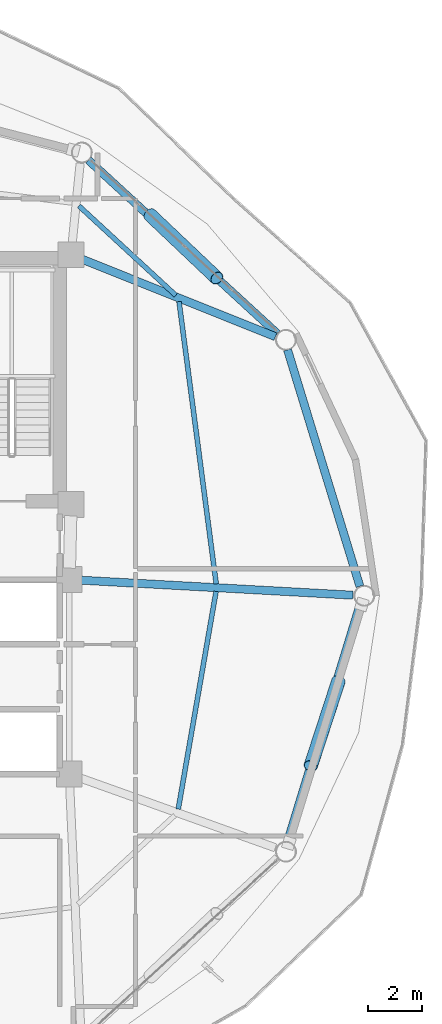
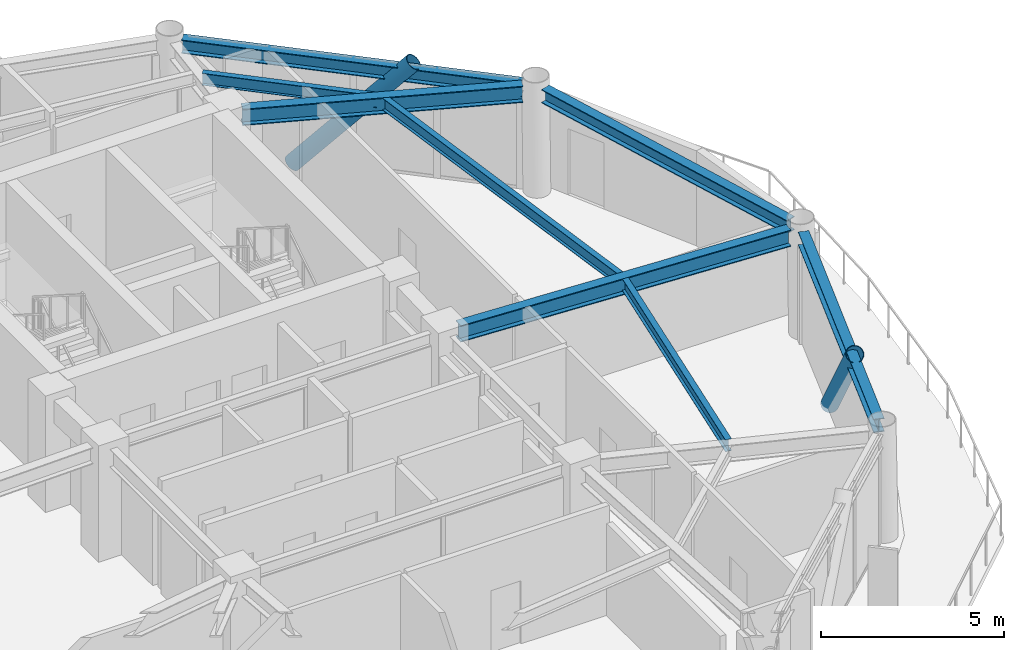
# One storey, part 13 of 23: 8 beams, 2 members.
"""IFC4 building model written with IfcOpenShell, lengths in metres."""

from ifc_helpers import new_model, si_unit, direction, frame, origin, origin_2d, place, context, subcontext, project, spatial, hollow_circle, i_section, extrude, material, material_profile, profile_set, type_object, element, save


model = new_model("IFC4")

# Units and contexts
model_context = context("Model", 3, precision=1e-05, world=origin(), true_north=direction((0.0, 1.0)))
body_context = subcontext(model_context, "Body", "Model", "MODEL_VIEW")
ifc_project = project(units=[si_unit("LENGTHUNIT", "METRE"), si_unit("AREAUNIT", "SQUARE_METRE"), si_unit("VOLUMEUNIT", "CUBIC_METRE"), si_unit("PLANEANGLEUNIT", "RADIAN"), si_unit("MASSUNIT", "GRAM", prefix="KILO")], contexts=[model_context])

# Site, building, storey
site_placement = place(None, origin())
site = spatial("IfcSite", under=ifc_project, at=site_placement, CompositionType="ELEMENT")
building_placement = place(site_placement, origin())
building = spatial("IfcBuilding", under=site, at=building_placement, Name="Varnakorn Sky Granary", CompositionType="ELEMENT")
storey_placement = place(building_placement, frame((0.0, 0.0, 150.0)))
storey = spatial("IfcBuildingStorey", under=building, at=storey_placement, Name="L37", CompositionType="ELEMENT", Elevation=150.0)

# Beams
ifc_material_1 = material(Name="Steel S355JR", Category="steel")
ifc_material_profile_1 = material_profile(ifc_material_1, i_section(OverallWidth=0.300048828125, OverallDepth=0.550048828125, WebThickness=0.014892578125, FlangeThickness=0.029052734375, at=origin_2d()), Name="HE 550 B")
ifc_profile_set_1 = profile_set([ifc_material_profile_1], Name="Steel S355JR")
beam_type_1 = type_object("IfcBeamType", Name="BM-RAD-Z3", PredefinedType="BEAM", material=ifc_profile_set_1)
beam_1_placement = place(storey_placement, frame((8.769287109375, 0.576904296875, 3.364990234375), z_axis=(0.998479413125, -0.055125870207, 0.0), x_axis=(0.055125870207, 0.998479413125, 0.0)))
element("IfcBeam", 1, at=beam_1_placement, inside=storey, type_object=beam_type_1, Name="Radial Floor Girder RG01 L37", PredefinedType="BEAM", context=body_context, shape_type="SweptSolid", body=[
    extrude(i_section(OverallWidth=0.300048828125, OverallDepth=0.550048828125, WebThickness=0.014892578125, FlangeThickness=0.029052734375, at=origin_2d()), origin(), (0.0, 0.0, 1.0), 10.09765625),
])
beam_2_placement = place(storey_placement, frame((8.809814453125, 12.4638671875, 3.364990234375), z_axis=(0.928243434572, -0.371973286909, 0.0), x_axis=(0.371973286909, 0.928243434572, 0.0)))
element("IfcBeam", 2, at=beam_2_placement, inside=storey, type_object=beam_type_1, Name="Radial Floor Girder RG02 L37", PredefinedType="BEAM", context=body_context, shape_type="SweptSolid", body=[
    extrude(i_section(OverallWidth=0.300048828125, OverallDepth=0.550048828125, WebThickness=0.014892578125, FlangeThickness=0.029052734375, at=origin_2d()), origin(), (0.0, 0.0, 1.0), 7.729736328125),
])
ifc_material_profile_2 = material_profile(ifc_material_1, i_section(OverallWidth=0.179931640625, OverallDepth=0.39990234375, WebThickness=0.008544921875, FlangeThickness=0.013427734375, at=origin_2d()), Name="IPE 400")
ifc_profile_set_2 = profile_set([ifc_material_profile_2], Name="Steel S355JR")
beam_type_2 = type_object("IfcBeamType", Name="BM-SEC-Z3", PredefinedType="BEAM", material=ifc_profile_set_2)
beam_3_placement = place(storey_placement, frame((13.792236328125, 0.437255859375, 3.43994140625), z_axis=(-0.130611490234, 0.991433627944, 0.0), x_axis=(-0.991433627944, -0.130611490234, 0.0)))
element("IfcBeam", 3, at=beam_3_placement, inside=storey, type_object=beam_type_2, Name="Secondary Floor Chord Beam MSB01 L37", PredefinedType="BEAM", context=body_context, shape_type="SweptSolid", body=[
    extrude(i_section(OverallWidth=0.179931640625, OverallDepth=0.39990234375, WebThickness=0.008544921875, FlangeThickness=0.013427734375, at=origin_2d()), origin(), (0.0, 0.0, 1.0), 10.54052734375),
])
beam_4_placement = place(storey_placement, frame((12.29443359375, 11.12109375, 3.43994140625), z_axis=(-0.734901333941, 0.678174040621, 0.0), x_axis=(-0.678174040621, -0.734901333941, 0.0)))
element("IfcBeam", 4, at=beam_4_placement, inside=storey, type_object=beam_type_2, Name="Secondary Floor Chord Beam MSB02 L37", PredefinedType="BEAM", context=body_context, shape_type="SweptSolid", body=[
    extrude(i_section(OverallWidth=0.179931640625, OverallDepth=0.39990234375, WebThickness=0.008544921875, FlangeThickness=0.013427734375, at=origin_2d()), origin(), (0.0, 0.0, 1.0), 4.876220703125),
])
beam_5_placement = place(storey_placement, frame((12.38671875, -7.8974609375, 3.43994140625), z_axis=(0.171162288513, 0.985242848739, 0.0), x_axis=(-0.985242848739, 0.171162288513, 0.0)))
element("IfcBeam", 5, at=beam_5_placement, inside=storey, type_object=beam_type_2, Name="Secondary Floor Chord Beam MSB12 L37", PredefinedType="BEAM", context=body_context, shape_type="SweptSolid", body=[
    extrude(i_section(OverallWidth=0.179931640625, OverallDepth=0.39990234375, WebThickness=0.008544921875, FlangeThickness=0.013427734375, at=origin_2d()), origin(), (0.0, 0.0, 1.0), 8.1787109375),
])
ifc_material_profile_3 = material_profile(ifc_material_1, i_section(OverallWidth=0.300048828125, OverallDepth=0.449951171875, WebThickness=0.013916015625, FlangeThickness=0.02587890625, at=origin_2d()), Name="HE 450 B")
ifc_profile_set_3 = profile_set([ifc_material_profile_3], Name="Steel S355JR")
beam_type_3 = type_object("IfcBeamType", Name="BM-SPD-Z3", PredefinedType="SPANDREL", material=ifc_profile_set_3)
beam_6_placement = place(storey_placement, frame((19.10986328125, 0.35009765625, 3.4150390625), z_axis=(-0.292604774033, 0.956233468465, 0.0), x_axis=(-0.956233468465, -0.292604774033, 0.0)))
element("IfcBeam", 6, at=beam_6_placement, inside=storey, type_object=beam_type_3, Name="Perimeter Spandrel Ring Beam RB01 L37", PredefinedType="SPANDREL", context=body_context, shape_type="SweptSolid", body=[
    extrude(i_section(OverallWidth=0.300048828125, OverallDepth=0.449951171875, WebThickness=0.013916015625, FlangeThickness=0.02587890625, at=origin_2d()), origin(), (0.0, 0.0, 1.0), 9.153076171875),
])
beam_7_placement = place(storey_placement, frame((16.054931640625, 9.7001953125, 3.4150390625), z_axis=(-0.736482578833, 0.676456510853, 0.0), x_axis=(-0.676456510853, -0.736482578833, 0.0)))
element("IfcBeam", 7, at=beam_7_placement, inside=storey, type_object=beam_type_3, Name="Perimeter Spandrel Ring Beam RB02 L37", PredefinedType="SPANDREL", context=body_context, shape_type="SweptSolid", body=[
    extrude(i_section(OverallWidth=0.300048828125, OverallDepth=0.449951171875, WebThickness=0.013916015625, FlangeThickness=0.02587890625, at=origin_2d()), origin(), (0.0, 0.0, 1.0), 9.4970703125),
])
beam_8_placement = place(storey_placement, frame((16.431640625, -9.1025390625, 3.4150390625), z_axis=(0.292604774033, 0.956233468465, 0.0), x_axis=(-0.956233468465, 0.292604774033, 0.0)))
element("IfcBeam", 8, at=beam_8_placement, inside=storey, type_object=beam_type_3, Name="Perimeter Spandrel Ring Beam RB12 L37", PredefinedType="SPANDREL", context=body_context, shape_type="SweptSolid", body=[
    extrude(i_section(OverallWidth=0.300048828125, OverallDepth=0.449951171875, WebThickness=0.013916015625, FlangeThickness=0.02587890625, at=origin_2d()), origin(), (0.0, 0.0, 1.0), 9.153076171875),
])

# Members
ifc_material_2 = material(Name="Steel S460M", Category="steel")
ifc_material_profile_4 = material_profile(ifc_material_2, hollow_circle(Radius=0.25390625, WallThickness=0.01806640625, at=origin_2d()), Name="CHS 508x18")
ifc_profile_set_4 = profile_set([ifc_material_profile_4], Name="Steel S460M")
member_type = type_object("IfcMemberType", Name="MB-DIAG-T2", PredefinedType="BRACE", material=ifc_profile_set_4)
member_1_placement = place(storey_placement, frame((11.34326171875, 14.101318359375, -0.1298828125), z_axis=(0.475761741286, -0.451167158831, 0.755048978757), x_axis=(0.688102651653, 0.725613354886, 0.0)))
element("IfcMember", 9, at=member_1_placement, inside=storey, type_object=member_type, Name="Perimeter CHS Diagrid Brace DG02 L37", PredefinedType="BRACE", context=body_context, shape_type="SweptSolid", body=[
    extrude(hollow_circle(Radius=0.25390625, WallThickness=0.01806640625, at=origin_2d()), origin(), (0.0, 0.0, 1.0), 5.191650390625),
])
member_2_placement = place(storey_placement, frame((18.31591796875, -3.15869140625, -0.1298828125), z_axis=(-0.200280236362, -0.612885134996, 0.764368784177), x_axis=(0.950534738247, -0.310618272783, 0.0)))
element("IfcMember", 10, at=member_2_placement, inside=storey, type_object=member_type, Name="Perimeter CHS Diagrid Brace DG12 L37", PredefinedType="BRACE", context=body_context, shape_type="SweptSolid", body=[
    extrude(hollow_circle(Radius=0.25390625, WallThickness=0.01806640625, at=origin_2d()), origin(), (0.0, 0.0, 1.0), 5.12841796875),
])

save(model, "model.ifc")
